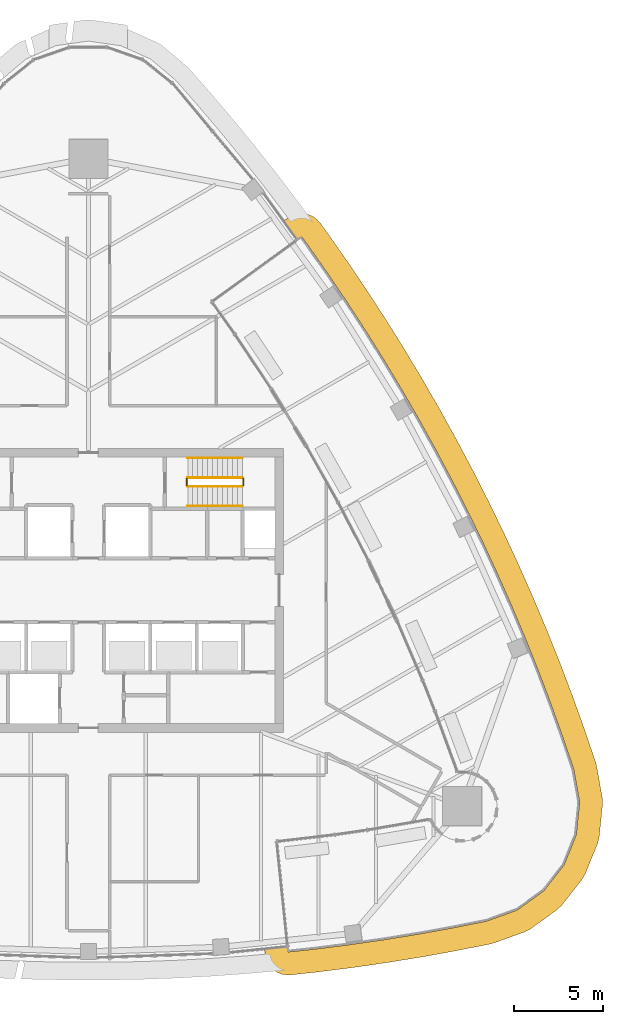
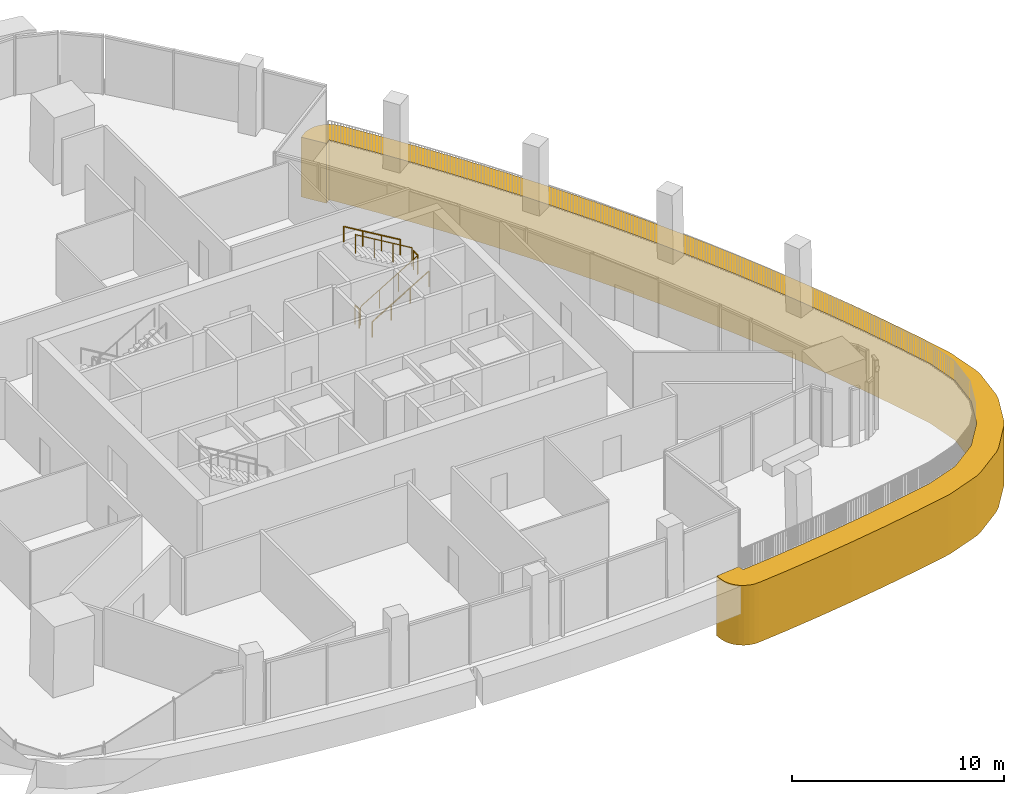
# One storey, part 18 of 20: 6 railings, 1 covering.
"""IFC4 building model written with IfcOpenShell, lengths in metres."""

import ifcopenshell
import ifcopenshell.guid

model = None  # the IFC model being written
_history = None  # IfcOwnerHistory: only IFC2X3 demands one
_inside = {}  # id of a spatial element -> (the spatial element, [elements in it])
_under = {}  # id of a project, library or spatial element -> (it, [spatial elements below it])
_declared = {}  # id of a project -> (the project, [libraries it declares])
_typed = {}  # id of a type object -> (the type object, [elements of that type])
_made_of = {}  # id of a material, layer set ... -> (it, [elements and type objects made of it])


def new_model(schema):
    """Start an empty IFC model of exactly this schema.

    Asked for "IFC4X3", IfcOpenShell would pick the latest addendum, in which some entities
    have other attributes; the version numbers below select the first issue.
    IFC2X3 requires an IfcOwnerHistory on every rooted entity: one is made here for all.
    """
    global model, _history
    if schema == "IFC4X3":
        model = ifcopenshell.file(schema_version=(4, 3, 0, 0))
    else:
        model = ifcopenshell.file(schema=schema)
    _inside.clear()
    _under.clear()
    _declared.clear()
    _typed.clear()
    _made_of.clear()
    _history = None
    if model.schema == "IFC2X3":
        org = make("IfcOrganization", Name="unknown")
        user = make(
            "IfcPersonAndOrganization",
            ThePerson=make("IfcPerson", FamilyName="unknown"),
            TheOrganization=org,
        )
        app = make(
            "IfcApplication",
            ApplicationDeveloper=org,
            Version="unknown",
            ApplicationFullName="unknown",
            ApplicationIdentifier="unknown",
        )
        _history = make(
            "IfcOwnerHistory",
            OwningUser=user,
            OwningApplication=app,
            ChangeAction="ADDED",
            CreationDate=0,
        )
    return model


def make(cls, **values):
    """One entity of the class cls with the attributes given. An attribute that is None is left unset."""
    return model.create_entity(
        cls, **{name: value for name, value in values.items() if value is not None}
    )


def rooted(cls, **values):
    """An entity with a GlobalId (a new one), such as an element, a storey or a relation."""
    return make(cls, GlobalId=ifcopenshell.guid.new(), OwnerHistory=_history, **values)


def si_unit(unit_type, name, prefix=None):
    """IfcSIUnit, for example si_unit("LENGTHUNIT", "METRE", prefix="MILLI")."""
    return make("IfcSIUnit", UnitType=unit_type, Prefix=prefix, Name=name)


def assignment(units):
    """IfcUnitAssignment: the units of a project."""
    return None if units is None else make("IfcUnitAssignment", Units=units)


def point(xyz):
    """IfcCartesianPoint."""
    return None if xyz is None else make("IfcCartesianPoint", Coordinates=xyz)


def direction(xyz):
    """IfcDirection."""
    return None if xyz is None else make("IfcDirection", DirectionRatios=xyz)


def frame(location, z_axis=None, x_axis=None):
    """IfcAxis2Placement3D, a coordinate frame: its origin and axes. An axis left out is left unset."""
    return make(
        "IfcAxis2Placement3D",
        Location=point(location),
        Axis=direction(z_axis),
        RefDirection=direction(x_axis),
    )


def frame_2d(location, x_axis=None):
    """IfcAxis2Placement2D, a coordinate frame in the plane: its origin and x axis."""
    return make(
        "IfcAxis2Placement2D", Location=point(location), RefDirection=direction(x_axis)
    )


def origin():
    """The frame at (0, 0, 0) with its axes left unset."""
    return frame((0.0, 0.0, 0.0))


def origin_2d():
    """The frame at (0, 0) in the plane with its x axis left unset."""
    return frame_2d((0.0, 0.0))


def place(relative_to, where):
    """IfcLocalPlacement: puts the frame where relative to a parent placement (None: the world)."""
    return make(
        "IfcLocalPlacement", PlacementRelTo=relative_to, RelativePlacement=where
    )


def context(
    kind, dimensions, precision=None, world=None, true_north=None, identifier=None
):
    """IfcGeometricRepresentationContext, for example the 3D "Model" context."""
    return make(
        "IfcGeometricRepresentationContext",
        ContextIdentifier=identifier,
        ContextType=kind,
        CoordinateSpaceDimension=dimensions,
        Precision=precision,
        WorldCoordinateSystem=world,
        TrueNorth=true_north,
    )


def subcontext(parent, identifier, kind, view, scale=None):
    """IfcGeometricRepresentationSubContext, for example "Body" below "Model"."""
    return make(
        "IfcGeometricRepresentationSubContext",
        ContextIdentifier=identifier,
        ContextType=kind,
        ParentContext=parent,
        TargetScale=scale,
        TargetView=view,
    )


def project(units=None, contexts=None):
    """IfcProject with its units and contexts."""
    return rooted(
        "IfcProject",
        Name="project",
        RepresentationContexts=contexts,
        UnitsInContext=assignment(units),
    )


def spatial(cls, under=None, at=None, **own):
    """A site, building, storey or space (cls), placed at a placement, below another one or the project."""
    s = rooted(cls, ObjectPlacement=at, **own)
    if under is not None:
        _under.setdefault(under.id(), (under, []))[1].append(s)
    return s


def polyline(points):
    """IfcPolyline through the points."""
    return make("IfcPolyline", Points=[point(p) for p in points])


def profile(cls, at=None, kind="AREA", **sizes):
    """A parametric profile (cls). Its sizes go by their IFC names, for example OverallWidth=200.0."""
    return make(cls, ProfileType=kind, Position=at, **sizes)


def circle(**sizes):
    """IfcCircleProfileDef."""
    return profile("IfcCircleProfileDef", **sizes)


def outline(outer, holes=None, kind="AREA"):
    """IfcArbitraryClosedProfileDef: a profile drawn as a closed curve; with holes, ...WithVoids."""
    if holes is None:
        return make("IfcArbitraryClosedProfileDef", ProfileType=kind, OuterCurve=outer)
    return make(
        "IfcArbitraryProfileDefWithVoids",
        ProfileType=kind,
        OuterCurve=outer,
        InnerCurves=holes,
    )


def extrude(swept, where, along, depth):
    """IfcExtrudedAreaSolid: the profile swept, set in the frame where, extruded along a direction by depth."""
    return make(
        "IfcExtrudedAreaSolid",
        SweptArea=swept,
        Position=where,
        ExtrudedDirection=direction(along),
        Depth=depth,
    )


def shape(context_of_items, identifier, shape_type, items):
    """IfcShapeRepresentation: the items that make up one representation, for example the "Body"."""
    return make(
        "IfcShapeRepresentation",
        ContextOfItems=context_of_items,
        RepresentationIdentifier=identifier,
        RepresentationType=shape_type,
        Items=items,
    )


def material(Name=None, Category=None):
    """IfcMaterial."""
    return make("IfcMaterial", Name=Name, Category=Category)


def layer(
    of_material, thickness, ventilated=None, Name=None, Category=None, Priority=None
):
    """IfcMaterialLayer: one layer of a wall or slab, of a material (None: an air gap)."""
    return make(
        "IfcMaterialLayer",
        Material=of_material,
        LayerThickness=thickness,
        IsVentilated=ventilated,
        Name=Name,
        Category=Category,
        Priority=Priority,
    )


def layer_set(layers, Name=None):
    """IfcMaterialLayerSet."""
    return make("IfcMaterialLayerSet", MaterialLayers=layers, LayerSetName=Name)


def made_of(thing, what):
    """Note that an element or type object is made of a material, layer set ...; save() writes the relation."""
    if what is not None:
        _made_of.setdefault(what.id(), (what, []))[1].append(thing)
    return thing


def type_object(cls, material=None, **own):
    """A type object (cls), such as IfcWallType, which elements share."""
    return made_of(rooted(cls, **own), material)


def element(
    cls,
    number,
    at=None,
    inside=None,
    cuts=None,
    type_object=None,
    material=None,
    context=None,
    identifier="Body",
    shape_type=None,
    held_by="IfcProductDefinitionShape",
    body=None,
    shapes=None,
    **own,
):
    """One element of the class cls, such as IfcWall. Its Tag is "e" and its number.

    at: its placement. inside: the storey or other place that contains it. cuts: it is an
    opening in that element (IfcRelVoidsElement). A single representation is given by context,
    identifier, shape_type and body (its items); several are given by shapes. held_by: the class
    of the entity that holds the representations. save() writes the other relations.
    """
    e = rooted(cls, Tag="e%d" % number, ObjectPlacement=at, **own)
    if body is not None:
        shapes = [shape(context, identifier, shape_type, body)]
    if shapes is not None:
        e.Representation = make(held_by, Representations=shapes)
    if inside is not None:
        _inside.setdefault(inside.id(), (inside, []))[1].append(e)
    if cuts is not None:
        rooted(
            "IfcRelVoidsElement", RelatingBuildingElement=cuts, RelatedOpeningElement=e
        )
    if type_object is not None:
        _typed.setdefault(type_object.id(), (type_object, []))[1].append(e)
    return made_of(e, material)


def aggregate(whole, parts):
    """IfcRelAggregates: a whole, such as a stair, and the parts it consists of."""
    return rooted("IfcRelAggregates", RelatingObject=whole, RelatedObjects=parts)


def save(model, path):
    """Write the relations noted so far, then the file.

    IfcRelAggregates (storeys below a building ...), IfcRelContainedInSpatialStructure (elements
    in a storey), IfcRelDefinesByType, IfcRelAssociatesMaterial and IfcRelDeclares: one each for
    every whole, place, type object, material and project.
    """
    for whole, parts in _under.values():
        aggregate(whole, parts)
    for where, things in _inside.values():
        rooted(
            "IfcRelContainedInSpatialStructure",
            RelatedElements=things,
            RelatingStructure=where,
        )
    for kind, things in _typed.values():
        rooted("IfcRelDefinesByType", RelatedObjects=things, RelatingType=kind)
    for what, things in _made_of.values():
        rooted("IfcRelAssociatesMaterial", RelatedObjects=things, RelatingMaterial=what)
    for by, libraries in _declared.values():
        rooted("IfcRelDeclares", RelatingContext=by, RelatedDefinitions=libraries)
    model.write(path)


model = new_model("IFC4")

# Units and contexts
model_context = context("Model", 3, precision=1e-05, world=origin(), true_north=direction((0.0, 1.0)))
body_context = subcontext(model_context, "Body", "Model", "MODEL_VIEW")
ifc_project = project(units=[si_unit("LENGTHUNIT", "METRE"), si_unit("AREAUNIT", "SQUARE_METRE"), si_unit("VOLUMEUNIT", "CUBIC_METRE"), si_unit("PLANEANGLEUNIT", "RADIAN"), si_unit("MASSUNIT", "GRAM", prefix="KILO")], contexts=[model_context])

# Site, building, storey
site_placement = place(None, origin())
site = spatial("IfcSite", under=ifc_project, at=site_placement, CompositionType="ELEMENT")
building_placement = place(site_placement, origin())
building = spatial("IfcBuilding", under=site, at=building_placement, Name="Sierra Prisma Convention Tower", CompositionType="ELEMENT")
storey_placement = place(building_placement, frame((0.0, 0.0, 275.0)))
storey = spatial("IfcBuildingStorey", under=building, at=storey_placement, Name="L62", CompositionType="ELEMENT", Elevation=275.0)

# Railings
ifc_material_1 = material(Name="Stainless steel", Category="steel")
railing_type_1 = type_object("IfcRailingType", Name="Exit stair handrail", PredefinedType="HANDRAIL", material=ifc_material_1)
railing_1_placement = place(storey_placement, frame((5.60009765625, 4.75, 0.166748046875)))
element("IfcRailing", 1, at=railing_1_placement, inside=storey, type_object=railing_type_1, Name="L62 S4 stair handrail 1", PredefinedType="HANDRAIL", context=body_context, shape_type="SweptSolid", body=[
    extrude(circle(Radius=0.02392578125, at=origin_2d()), frame((0.0, 0.0, 0.8759765625), z_axis=(0.859290745958, 0.0, 0.51148745235), x_axis=(0.0, 1.0, 0.0)), (0.0, 0.0, 1.0), 3.584228515625),
    extrude(circle(Radius=0.02099609375, at=origin_2d()), origin(), (0.0, 0.0, 1.0), 0.851806640625),
    extrude(circle(Radius=0.02099609375, at=origin_2d()), frame((1.026611328125, 0.0, 0.611083984375)), (0.0, 0.0, 1.0), 0.851806640625),
    extrude(circle(Radius=0.02099609375, at=origin_2d()), frame((2.05322265625, 0.0, 1.22216796875)), (0.0, 0.0, 1.0), 0.851806640625),
    extrude(circle(Radius=0.02099609375, at=origin_2d()), frame((3.079833984375, 0.0, 1.833251953125)), (0.0, 0.0, 1.0), 0.851806640625),
])
railing_2_placement = place(storey_placement, frame((8.679931640625, 7.449951171875, 2.166748046875)))
element("IfcRailing", 2, at=railing_2_placement, inside=storey, type_object=railing_type_1, Name="L62 S4 stair handrail 2", PredefinedType="HANDRAIL", context=body_context, shape_type="SweptSolid", body=[
    extrude(circle(Radius=0.02392578125, at=origin_2d()), frame((0.0, 0.0, 0.8759765625), z_axis=(-0.859290745958, 0.0, 0.51148745235), x_axis=(0.0, -1.0, 0.0)), (0.0, 0.0, 1.0), 3.584228515625),
    extrude(circle(Radius=0.02099609375, at=origin_2d()), origin(), (0.0, 0.0, 1.0), 0.851806640625),
    extrude(circle(Radius=0.02099609375, at=origin_2d()), frame((-1.026611328125, 0.0, 0.611083984375)), (0.0, 0.0, 1.0), 0.851806640625),
    extrude(circle(Radius=0.02099609375, at=origin_2d()), frame((-2.05322265625, 0.0, 1.22216796875)), (0.0, 0.0, 1.0), 0.851806640625),
    extrude(circle(Radius=0.02099609375, at=origin_2d()), frame((-3.079833984375, 0.0, 1.833251953125)), (0.0, 0.0, 1.0), 0.851806640625),
])
ifc_material_2 = material(Name="Stainless steel", Category="steel")
railing_type_2 = type_object("IfcRailingType", Name="Stair guard 1100", PredefinedType="GUARDRAIL", material=ifc_material_2)
railing_3_placement = place(storey_placement, frame((5.60009765625, 5.85009765625, 0.166748046875)))
element("IfcRailing", 3, at=railing_3_placement, inside=storey, type_object=railing_type_2, Name="L62 S4 stair guard 1", PredefinedType="GUARDRAIL", context=body_context, shape_type="SweptSolid", body=[
    extrude(circle(Radius=0.02392578125, at=origin_2d()), frame((0.0, 0.0, 1.076171875), z_axis=(0.859290745958, 0.0, 0.51148745235), x_axis=(0.0, 1.0, 0.0)), (0.0, 0.0, 1.0), 3.584228515625),
    extrude(circle(Radius=0.02099609375, at=origin_2d()), origin(), (0.0, 0.0, 1.0), 1.052001953125),
    extrude(circle(Radius=0.02099609375, at=origin_2d()), frame((1.026611328125, 0.0, 0.611083984375)), (0.0, 0.0, 1.0), 1.052001953125),
    extrude(circle(Radius=0.02099609375, at=origin_2d()), frame((2.05322265625, 0.0, 1.22216796875)), (0.0, 0.0, 1.0), 1.052001953125),
    extrude(circle(Radius=0.02099609375, at=origin_2d()), frame((3.079833984375, 0.0, 1.833251953125)), (0.0, 0.0, 1.0), 1.052001953125),
])
railing_4_placement = place(storey_placement, frame((8.72998046875, 5.89990234375, 2.0)))
element("IfcRailing", 4, at=railing_4_placement, inside=storey, type_object=railing_type_2, Name="L62 S4 stair guard 2", PredefinedType="GUARDRAIL", context=body_context, shape_type="SweptSolid", body=[
    extrude(circle(Radius=0.02392578125, at=origin_2d()), frame((0.0, 0.0, 1.076171875), z_axis=(0.0, 1.0, 0.0), x_axis=(-1.0, 0.0, 0.0)), (0.0, 0.0, 1.0), 0.400146484375),
    extrude(circle(Radius=0.02099609375, at=origin_2d()), origin(), (0.0, 0.0, 1.0), 1.052001953125),
    extrude(circle(Radius=0.02099609375, at=origin_2d()), frame((0.0, 0.400146484375, 0.0)), (0.0, 0.0, 1.0), 1.052001953125),
])
railing_5_placement = place(storey_placement, frame((8.679931640625, 6.35009765625, 2.166748046875)))
element("IfcRailing", 5, at=railing_5_placement, inside=storey, type_object=railing_type_2, Name="L62 S4 stair guard 3", PredefinedType="GUARDRAIL", context=body_context, shape_type="SweptSolid", body=[
    extrude(circle(Radius=0.02392578125, at=origin_2d()), frame((0.0, 0.0, 1.076171875), z_axis=(-0.859290745958, 0.0, 0.51148745235), x_axis=(0.0, -1.0, 0.0)), (0.0, 0.0, 1.0), 3.584228515625),
    extrude(circle(Radius=0.02099609375, at=origin_2d()), origin(), (0.0, 0.0, 1.0), 1.052001953125),
    extrude(circle(Radius=0.02099609375, at=origin_2d()), frame((-1.026611328125, 0.0, 0.611083984375)), (0.0, 0.0, 1.0), 1.052001953125),
    extrude(circle(Radius=0.02099609375, at=origin_2d()), frame((-2.05322265625, 0.0, 1.22216796875)), (0.0, 0.0, 1.0), 1.052001953125),
    extrude(circle(Radius=0.02099609375, at=origin_2d()), frame((-3.079833984375, 0.0, 1.833251953125)), (0.0, 0.0, 1.0), 1.052001953125),
])
railing_6_placement = place(storey_placement, frame((5.550048828125, 5.89990234375, 0.0)))
element("IfcRailing", 6, at=railing_6_placement, inside=storey, type_object=railing_type_2, Name="L62 S4 stair guard 4", PredefinedType="GUARDRAIL", context=body_context, shape_type="SweptSolid", body=[
    extrude(circle(Radius=0.02392578125, at=origin_2d()), frame((0.0, 0.0, 1.076171875), z_axis=(0.0, 1.0, 0.0), x_axis=(-1.0, 0.0, 0.0)), (0.0, 0.0, 1.0), 0.400146484375),
    extrude(circle(Radius=0.02099609375, at=origin_2d()), origin(), (0.0, 0.0, 1.0), 1.052001953125),
    extrude(circle(Radius=0.02099609375, at=origin_2d()), frame((0.0, 0.400146484375, 0.0)), (0.0, 0.0, 1.0), 1.052001953125),
])

# Covering
ifc_material_3 = material(Name="Aluminium composite bronze anodised", Category="aluminium")
ifc_layer = layer(ifc_material_3, 1.300048828125)
ifc_layer_set = layer_set([ifc_layer], Name="Terrace fascia")
covering_type = type_object("IfcCoveringType", Name="Terrace fascia", PredefinedType="CLADDING", material=ifc_layer_set)
covering_placement = place(storey_placement, frame((0.0, 0.0, -3.39990234375)))
element("IfcCovering", 7, at=covering_placement, inside=storey, type_object=covering_type, Name="Terrace fascia L62.1", PredefinedType="CLADDING", context=body_context, shape_type="SweptSolid", body=[
    extrude(outline(polyline([(11.244140625, 20.972900390625), (11.46337890625, 21.101318359375), (11.70361328125, 21.184326171875), (11.95556640625, 21.218994140625), (12.209228515625, 21.204345703125), (12.455078125, 21.140380859375), (12.68408203125, 21.02978515625), (12.886962890625, 20.876708984375), (13.056396484375, 20.68701171875), (13.334228515625, 20.306640625), (13.347900390625, 20.287841796875), (14.477294921875, 18.682373046875), (14.49072265625, 18.6630859375), (15.59130859375, 17.03759765625), (15.604248046875, 17.018310546875), (16.67578125, 15.373291015625), (16.688232421875, 15.353759765625), (17.72998046875, 13.68994140625), (17.7421875, 13.670166015625), (18.75390625, 11.98779296875), (18.765869140625, 11.9677734375), (19.747314453125, 10.267822265625), (19.7587890625, 10.24755859375), (20.709716796875, 8.530029296875), (20.720947265625, 8.509765625), (21.640869140625, 6.775390625), (21.651611328125, 6.7548828125), (22.540283203125, 5.00439453125), (22.55078125, 4.983642578125), (23.408203125, 3.2177734375), (23.418212890625, 3.19677734375), (24.24365234375, 1.41552734375), (24.25341796875, 1.394287109375), (25.046875, -0.401123046875), (25.055908203125, -0.422607421875), (25.8173828125, -2.23193359375), (25.826171875, -2.25341796875), (26.554931640625, -4.076416015625), (26.563232421875, -4.097900390625), (27.25927734375, -5.93359375), (27.267333984375, -5.955322265625), (27.930419921875, -7.80322265625), (27.93798828125, -7.8251953125), (28.56787109375, -9.684326171875), (28.6162109375, -9.8720703125), (28.941650390625, -11.687744140625), (28.955078125, -12.05078125), (28.765625, -13.8857421875), (28.677978515625, -14.23828125), (27.988037109375, -15.94921875), (27.806396484375, -16.263916015625), (26.669921875, -17.716796875), (26.408203125, -17.96875), (24.913818359375, -19.050537109375), (24.5927734375, -19.22021484375), (22.857421875, -19.84619140625), (22.6708984375, -19.898193359375), (20.745849609375, -20.282470703125), (20.722900390625, -20.286865234375), (18.791259765625, -20.636474609375), (18.768310546875, -20.640380859375), (16.83056640625, -20.95556640625), (16.8076171875, -20.958984375), (14.86474609375, -21.2392578125), (14.841552734375, -21.242431640625), (12.893798828125, -21.48779296875), (12.870849609375, -21.490478515625), (11.38671875, -21.650634765625), (11.131103515625, -21.653076171875), (10.8798828125, -21.605224609375), (10.643310546875, -21.509521484375), (10.4296875, -21.368896484375), (10.247802734375, -21.189697265625), (10.1044921875, -20.97802734375), (10.00537109375, -20.742431640625), (9.9541015625, -20.4921875), (9.922607421875, -20.18798828125), (11.215087890625, -20.048583984375), (11.247314453125, -20.358154296875), (12.7314453125, -20.197998046875), (14.678955078125, -19.95263671875), (16.6220703125, -19.67236328125), (18.5595703125, -19.357421875), (20.4912109375, -19.007568359375), (22.41650390625, -18.623291015625), (24.151611328125, -17.99755859375), (25.64599609375, -16.915771484375), (26.782470703125, -15.462890625), (27.472412109375, -13.752197265625), (27.662109375, -11.917236328125), (27.33642578125, -10.1015625), (26.706787109375, -8.2421875), (26.043701171875, -6.39453125), (25.347900390625, -4.558837890625), (24.618896484375, -2.736083984375), (23.85791015625, -0.926513671875), (23.064208984375, 0.868896484375), (22.23876953125, 2.64990234375), (21.38134765625, 4.416015625), (20.492431640625, 6.166259765625), (19.572509765625, 7.900390625), (18.62158203125, 9.617919921875), (17.639892578125, 11.31787109375), (16.628173828125, 13.0), (15.58642578125, 14.663818359375), (14.514892578125, 16.308837890625), (13.414306640625, 17.934326171875), (12.28466796875, 19.539794921875), (12.006591796875, 19.920166015625), (11.754638671875, 19.737548828125), (10.987548828125, 20.787109375), (11.244140625, 20.972900390625)])), origin(), (0.0, 0.0, 1.0), 3.43994140625),
])

save(model, "model.ifc")
